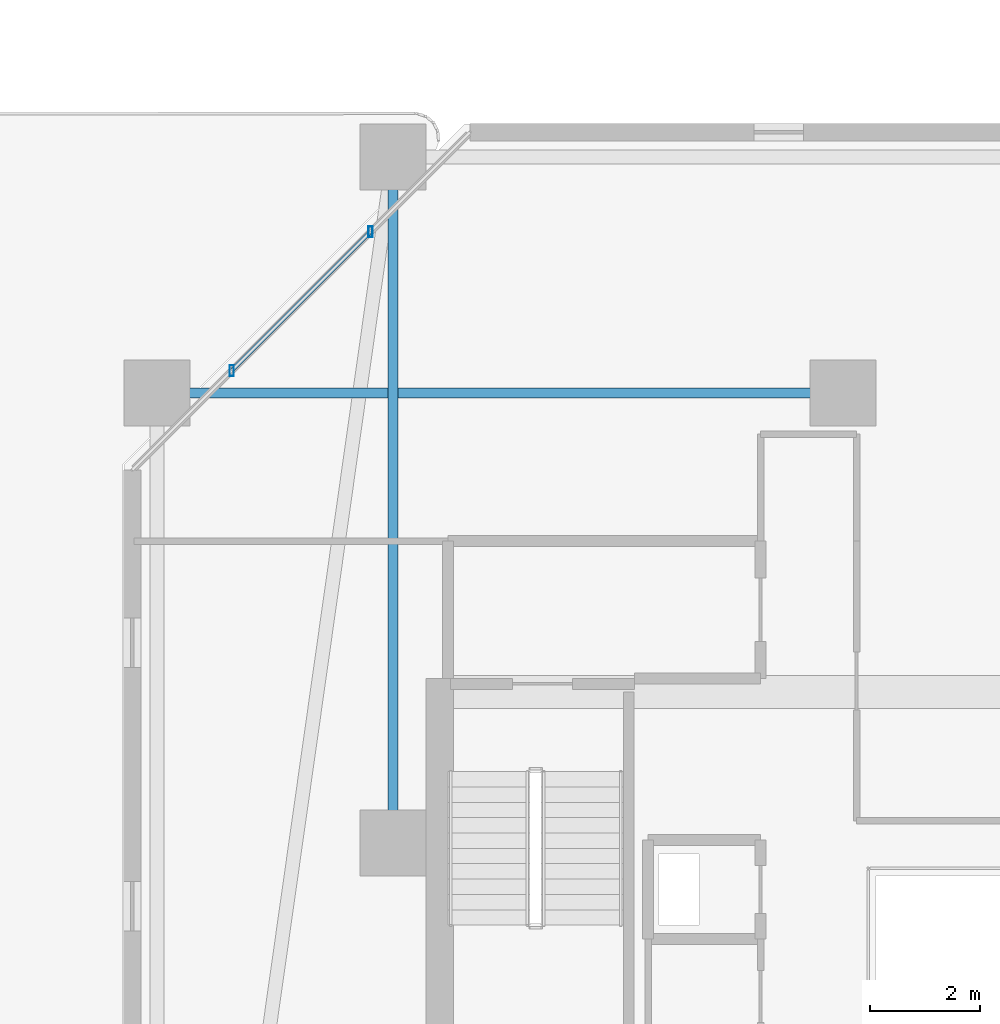
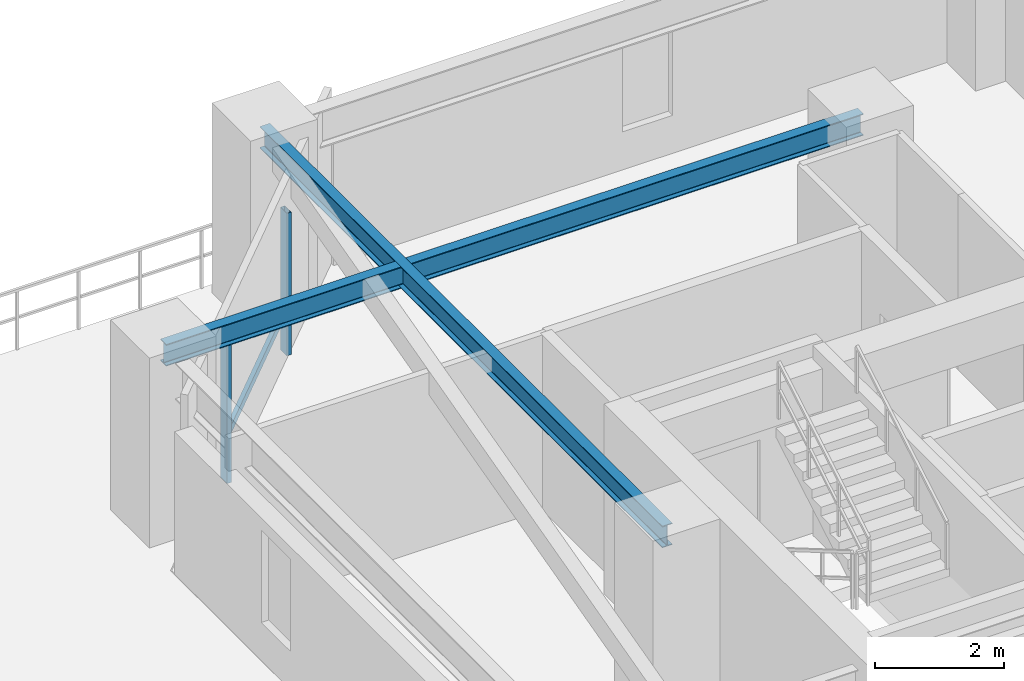
# One storey, part 14 of 31: 3 members, 2 beams, 1 element without a shape of its own.
"""IFC4 building model written with IfcOpenShell, lengths in metres."""

from ifc_helpers import new_model, si_unit, direction, frame, origin, origin_2d, place, context, subcontext, project, spatial, hollow_rectangle, i_section, extrude, material, material_profile, profile_set, type_object, element, aggregate, save


model = new_model("IFC4")

# Units and contexts
model_context = context("Model", 3, precision=1e-05, world=origin(), true_north=direction((0.0, 1.0)))
body_context = subcontext(model_context, "Body", "Model", "MODEL_VIEW")
ifc_project = project(units=[si_unit("LENGTHUNIT", "METRE"), si_unit("AREAUNIT", "SQUARE_METRE"), si_unit("VOLUMEUNIT", "CUBIC_METRE"), si_unit("PLANEANGLEUNIT", "RADIAN"), si_unit("MASSUNIT", "GRAM", prefix="KILO")], contexts=[model_context])

# Site, building, storey
site_placement = place(None, origin())
site = spatial("IfcSite", under=ifc_project, at=site_placement, CompositionType="ELEMENT")
building_placement = place(site_placement, origin())
building = spatial("IfcBuilding", under=site, at=building_placement, Name="Thornwick Lancets Civic Towers", CompositionType="ELEMENT")
storey_placement = place(building_placement, frame((0.0, 0.0, 119.699951171875)))
storey = spatial("IfcBuildingStorey", under=building, at=storey_placement, Name="L31", CompositionType="ELEMENT", Elevation=119.699951171875)

# Beams
ifc_material_1 = material(Name="Steel S355JR", Category="steel")
ifc_material_profile_1 = material_profile(ifc_material_1, i_section(OverallWidth=0.179443359375, OverallDepth=0.412841796875, WebThickness=0.009521484375, FlangeThickness=0.01611328125, FilletRadius=0.01025390625, at=origin_2d()), Name="UKB 406x178x74")
ifc_profile_set_1 = profile_set([ifc_material_profile_1], Name="Steel S355JR")
beam_type = type_object("IfcBeamType", Name="BM_JOIST_406_74", PredefinedType="JOIST", material=ifc_profile_set_1)
for number, where, z_axis, x_axis, name in (
    (1, (75.5, 31.800048828125, 3.133544921875), (0.0, 1.0, 0.0), (-1.0, 0.0, 0.0), "BM-RADIN-L31-B06"),
    (2, (83.699951171875, 40.0, 3.133544921875), (-1.0, 0.0, 0.0), (0.0, -1.0, 0.0), "BM-RADIN-L31-B09"),
):
    element("IfcBeam", number, at=place(storey_placement, frame(where, z_axis=z_axis, x_axis=x_axis)), inside=storey, type_object=beam_type, Name=name, PredefinedType="JOIST", context=body_context, shape_type="SweptSolid", body=[
        extrude(i_section(OverallWidth=0.179443359375, OverallDepth=0.412841796875, WebThickness=0.009521484375, FlangeThickness=0.01611328125, FilletRadius=0.01025390625, at=origin_2d()), origin(), (0.0, 0.0, 1.0), 12.5),
    ])

# Curtain wall, members
ifc_material_2 = material(Name="Mid-zone chamfered-corner unitised glass curtain wall", Category="glass")
curtain_wall_type = type_object("IfcCurtainWallType", Name="CW_SYS_04", PredefinedType="NOTDEFINED", material=ifc_material_2)
curtain_wall_placement = place(storey_placement, origin())
curtain_wall = element("IfcCurtainWall", 3, at=curtain_wall_placement, inside=storey, type_object=curtain_wall_type, Name="L31 Curtain Wall CW-L31-B-E5", PredefinedType="NOTDEFINED")
ifc_material_3 = material(Name="Thermally broken bronze aluminium S355", Category="steel")
ifc_material_profile_2 = material_profile(ifc_material_3, hollow_rectangle(XDim=0.080078125, YDim=0.199951171875, WallThickness=0.006103515625, at=origin_2d()), Name="RHS 200x80x6")
ifc_profile_set_2 = profile_set([ifc_material_profile_2], Name="Thermally broken bronze aluminium S355")
member_type_1 = type_object("IfcMemberType", Name="CW_MUL_200", PredefinedType="MULLION", material=ifc_profile_set_2)
member_1_placement = place(storey_placement, frame((75.091552734375, 42.940673828125, 0.0), z_axis=(0.0, 0.0, 1.0), x_axis=(1.0, 0.0, 0.0)))
member_1 = element("IfcMember", 4, at=member_1_placement, type_object=member_type_1, Name="CW-L31-B-E5 Mullion 0", PredefinedType="MULLION", context=body_context, shape_type="SweptSolid", body=[
    extrude(hollow_rectangle(XDim=0.080078125, YDim=0.199951171875, WallThickness=0.006103515625, at=origin_2d()), origin(), (0.0, 0.0, 1.0), 2.699951171875),
])
member_2_placement = place(storey_placement, frame((72.559326171875, 40.408447265625, 0.0), z_axis=(0.0, 0.0, 1.0), x_axis=(1.0, 0.0, 0.0)))
member_2 = element("IfcMember", 5, at=member_2_placement, type_object=member_type_1, Name="CW-L31-B-E5 Mullion 1", PredefinedType="MULLION", context=body_context, shape_type="SweptSolid", body=[
    extrude(hollow_rectangle(XDim=0.080078125, YDim=0.199951171875, WallThickness=0.006103515625, at=origin_2d()), origin(), (0.0, 0.0, 1.0), 2.699951171875),
])
ifc_material_profile_3 = material_profile(ifc_material_3, hollow_rectangle(XDim=0.074951171875, YDim=0.14990234375, WallThickness=0.0048828125, at=origin_2d()), Name="RHS 150x75x5")
ifc_profile_set_3 = profile_set([ifc_material_profile_3], Name="Thermally broken bronze aluminium S355")
member_type_2 = type_object("IfcMemberType", Name="CW_TRN_150", PredefinedType="USERDEFINED", material=ifc_profile_set_3)
member_3_placement = place(storey_placement, frame((75.077392578125, 42.926513671875, 0.85009765625), z_axis=(-0.707106781187, -0.707106781187, 0.0), x_axis=(0.707106781187, -0.707106781187, 0.0)))
member_3 = element("IfcMember", 6, at=member_3_placement, type_object=member_type_2, Name="CW-L31-B-E5 Transom 0", ObjectType="TRANSOM", PredefinedType="USERDEFINED", context=body_context, shape_type="SweptSolid", body=[
    extrude(hollow_rectangle(XDim=0.074951171875, YDim=0.14990234375, WallThickness=0.0048828125, at=origin_2d()), origin(), (0.0, 0.0, 1.0), 3.541015625),
])
aggregate(curtain_wall, [member_1, member_2, member_3])

save(model, "model.ifc")
